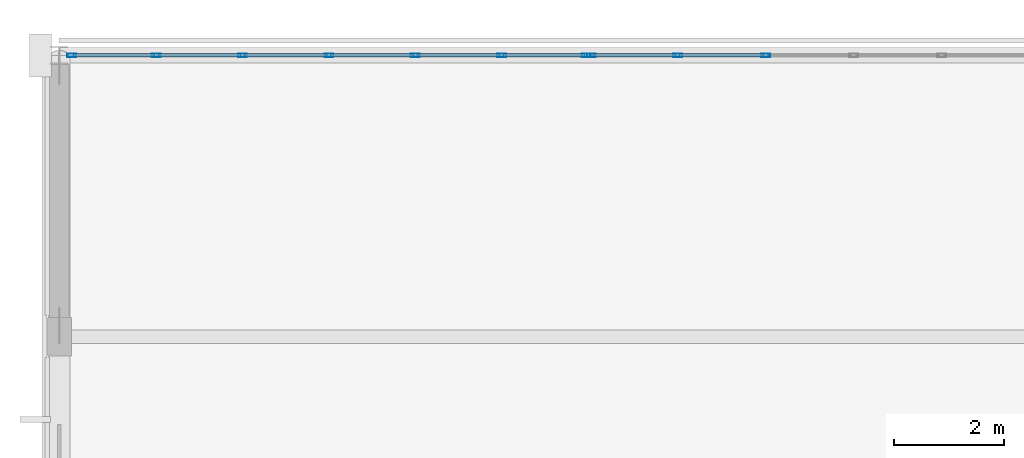
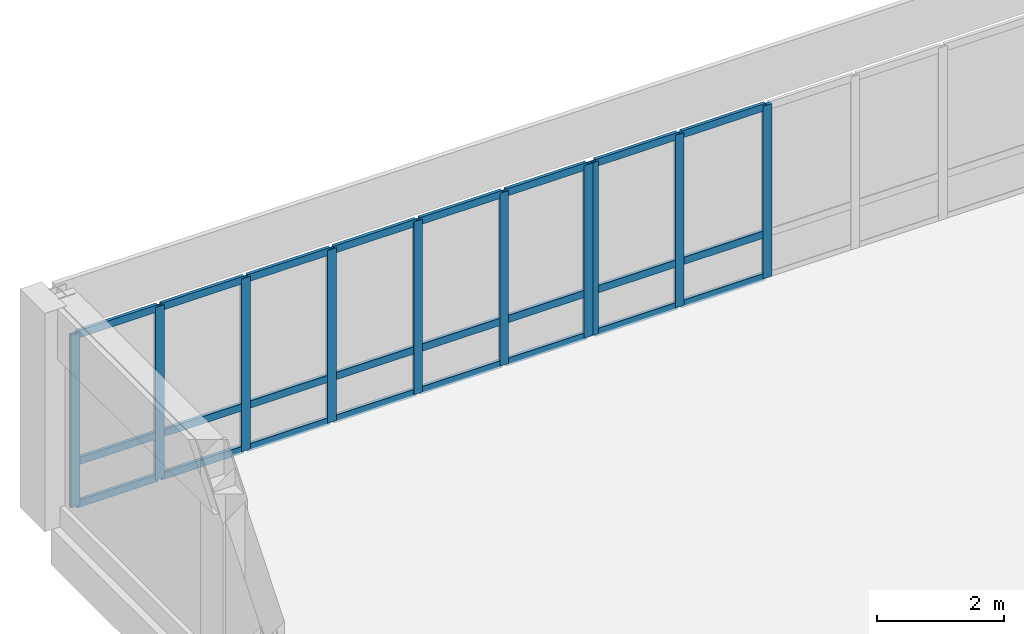
# One storey, part 66 of 185: 34 members, 2 elements without a shape of their own.
"""IFC4 building model written with IfcOpenShell, lengths in metres."""

import ifcopenshell
import ifcopenshell.guid

model = None  # the IFC model being written
_history = None  # IfcOwnerHistory: only IFC2X3 demands one
_inside = {}  # id of a spatial element -> (the spatial element, [elements in it])
_under = {}  # id of a project, library or spatial element -> (it, [spatial elements below it])
_declared = {}  # id of a project -> (the project, [libraries it declares])
_typed = {}  # id of a type object -> (the type object, [elements of that type])
_made_of = {}  # id of a material, layer set ... -> (it, [elements and type objects made of it])


def new_model(schema):
    """Start an empty IFC model of exactly this schema.

    Asked for "IFC4X3", IfcOpenShell would pick the latest addendum, in which some entities
    have other attributes; the version numbers below select the first issue.
    IFC2X3 requires an IfcOwnerHistory on every rooted entity: one is made here for all.
    """
    global model, _history
    if schema == "IFC4X3":
        model = ifcopenshell.file(schema_version=(4, 3, 0, 0))
    else:
        model = ifcopenshell.file(schema=schema)
    _inside.clear()
    _under.clear()
    _declared.clear()
    _typed.clear()
    _made_of.clear()
    _history = None
    if model.schema == "IFC2X3":
        org = make("IfcOrganization", Name="unknown")
        user = make(
            "IfcPersonAndOrganization",
            ThePerson=make("IfcPerson", FamilyName="unknown"),
            TheOrganization=org,
        )
        app = make(
            "IfcApplication",
            ApplicationDeveloper=org,
            Version="unknown",
            ApplicationFullName="unknown",
            ApplicationIdentifier="unknown",
        )
        _history = make(
            "IfcOwnerHistory",
            OwningUser=user,
            OwningApplication=app,
            ChangeAction="ADDED",
            CreationDate=0,
        )
    return model


def make(cls, **values):
    """One entity of the class cls with the attributes given. An attribute that is None is left unset."""
    return model.create_entity(
        cls, **{name: value for name, value in values.items() if value is not None}
    )


def rooted(cls, **values):
    """An entity with a GlobalId (a new one), such as an element, a storey or a relation."""
    return make(cls, GlobalId=ifcopenshell.guid.new(), OwnerHistory=_history, **values)


def si_unit(unit_type, name, prefix=None):
    """IfcSIUnit, for example si_unit("LENGTHUNIT", "METRE", prefix="MILLI")."""
    return make("IfcSIUnit", UnitType=unit_type, Prefix=prefix, Name=name)


def assignment(units):
    """IfcUnitAssignment: the units of a project."""
    return None if units is None else make("IfcUnitAssignment", Units=units)


def point(xyz):
    """IfcCartesianPoint."""
    return None if xyz is None else make("IfcCartesianPoint", Coordinates=xyz)


def direction(xyz):
    """IfcDirection."""
    return None if xyz is None else make("IfcDirection", DirectionRatios=xyz)


def frame(location, z_axis=None, x_axis=None):
    """IfcAxis2Placement3D, a coordinate frame: its origin and axes. An axis left out is left unset."""
    return make(
        "IfcAxis2Placement3D",
        Location=point(location),
        Axis=direction(z_axis),
        RefDirection=direction(x_axis),
    )


def frame_2d(location, x_axis=None):
    """IfcAxis2Placement2D, a coordinate frame in the plane: its origin and x axis."""
    return make(
        "IfcAxis2Placement2D", Location=point(location), RefDirection=direction(x_axis)
    )


def origin():
    """The frame at (0, 0, 0) with its axes left unset."""
    return frame((0.0, 0.0, 0.0))


def origin_2d():
    """The frame at (0, 0) in the plane with its x axis left unset."""
    return frame_2d((0.0, 0.0))


def place(relative_to, where):
    """IfcLocalPlacement: puts the frame where relative to a parent placement (None: the world)."""
    return make(
        "IfcLocalPlacement", PlacementRelTo=relative_to, RelativePlacement=where
    )


def context(
    kind, dimensions, precision=None, world=None, true_north=None, identifier=None
):
    """IfcGeometricRepresentationContext, for example the 3D "Model" context."""
    return make(
        "IfcGeometricRepresentationContext",
        ContextIdentifier=identifier,
        ContextType=kind,
        CoordinateSpaceDimension=dimensions,
        Precision=precision,
        WorldCoordinateSystem=world,
        TrueNorth=true_north,
    )


def subcontext(parent, identifier, kind, view, scale=None):
    """IfcGeometricRepresentationSubContext, for example "Body" below "Model"."""
    return make(
        "IfcGeometricRepresentationSubContext",
        ContextIdentifier=identifier,
        ContextType=kind,
        ParentContext=parent,
        TargetScale=scale,
        TargetView=view,
    )


def project(units=None, contexts=None):
    """IfcProject with its units and contexts."""
    return rooted(
        "IfcProject",
        Name="project",
        RepresentationContexts=contexts,
        UnitsInContext=assignment(units),
    )


def spatial(cls, under=None, at=None, **own):
    """A site, building, storey or space (cls), placed at a placement, below another one or the project."""
    s = rooted(cls, ObjectPlacement=at, **own)
    if under is not None:
        _under.setdefault(under.id(), (under, []))[1].append(s)
    return s


def profile(cls, at=None, kind="AREA", **sizes):
    """A parametric profile (cls). Its sizes go by their IFC names, for example OverallWidth=200.0."""
    return make(cls, ProfileType=kind, Position=at, **sizes)


def hollow_rectangle(**sizes):
    """IfcRectangleHollowProfileDef."""
    return profile("IfcRectangleHollowProfileDef", **sizes)


def extrude(swept, where, along, depth):
    """IfcExtrudedAreaSolid: the profile swept, set in the frame where, extruded along a direction by depth."""
    return make(
        "IfcExtrudedAreaSolid",
        SweptArea=swept,
        Position=where,
        ExtrudedDirection=direction(along),
        Depth=depth,
    )


def shape(context_of_items, identifier, shape_type, items):
    """IfcShapeRepresentation: the items that make up one representation, for example the "Body"."""
    return make(
        "IfcShapeRepresentation",
        ContextOfItems=context_of_items,
        RepresentationIdentifier=identifier,
        RepresentationType=shape_type,
        Items=items,
    )


def material(Name=None, Category=None):
    """IfcMaterial."""
    return make("IfcMaterial", Name=Name, Category=Category)


def material_profile(
    of_material, cross_section, Name=None, Category=None, Priority=None
):
    """IfcMaterialProfile: a cross section and its material."""
    return make(
        "IfcMaterialProfile",
        Name=Name,
        Material=of_material,
        Profile=cross_section,
        Priority=Priority,
        Category=Category,
    )


def profile_set(profiles, Name=None, composite=None):
    """IfcMaterialProfileSet."""
    return make(
        "IfcMaterialProfileSet",
        Name=Name,
        MaterialProfiles=profiles,
        CompositeProfile=composite,
    )


def made_of(thing, what):
    """Note that an element or type object is made of a material, layer set ...; save() writes the relation."""
    if what is not None:
        _made_of.setdefault(what.id(), (what, []))[1].append(thing)
    return thing


def type_object(cls, material=None, **own):
    """A type object (cls), such as IfcWallType, which elements share."""
    return made_of(rooted(cls, **own), material)


def element(
    cls,
    number,
    at=None,
    inside=None,
    cuts=None,
    type_object=None,
    material=None,
    context=None,
    identifier="Body",
    shape_type=None,
    held_by="IfcProductDefinitionShape",
    body=None,
    shapes=None,
    **own,
):
    """One element of the class cls, such as IfcWall. Its Tag is "e" and its number.

    at: its placement. inside: the storey or other place that contains it. cuts: it is an
    opening in that element (IfcRelVoidsElement). A single representation is given by context,
    identifier, shape_type and body (its items); several are given by shapes. held_by: the class
    of the entity that holds the representations. save() writes the other relations.
    """
    e = rooted(cls, Tag="e%d" % number, ObjectPlacement=at, **own)
    if body is not None:
        shapes = [shape(context, identifier, shape_type, body)]
    if shapes is not None:
        e.Representation = make(held_by, Representations=shapes)
    if inside is not None:
        _inside.setdefault(inside.id(), (inside, []))[1].append(e)
    if cuts is not None:
        rooted(
            "IfcRelVoidsElement", RelatingBuildingElement=cuts, RelatedOpeningElement=e
        )
    if type_object is not None:
        _typed.setdefault(type_object.id(), (type_object, []))[1].append(e)
    return made_of(e, material)


def aggregate(whole, parts):
    """IfcRelAggregates: a whole, such as a stair, and the parts it consists of."""
    return rooted("IfcRelAggregates", RelatingObject=whole, RelatedObjects=parts)


def save(model, path):
    """Write the relations noted so far, then the file.

    IfcRelAggregates (storeys below a building ...), IfcRelContainedInSpatialStructure (elements
    in a storey), IfcRelDefinesByType, IfcRelAssociatesMaterial and IfcRelDeclares: one each for
    every whole, place, type object, material and project.
    """
    for whole, parts in _under.values():
        aggregate(whole, parts)
    for where, things in _inside.values():
        rooted(
            "IfcRelContainedInSpatialStructure",
            RelatedElements=things,
            RelatingStructure=where,
        )
    for kind, things in _typed.values():
        rooted("IfcRelDefinesByType", RelatedObjects=things, RelatingType=kind)
    for what, things in _made_of.values():
        rooted("IfcRelAssociatesMaterial", RelatedObjects=things, RelatingMaterial=what)
    for by, libraries in _declared.values():
        rooted("IfcRelDeclares", RelatingContext=by, RelatedDefinitions=libraries)
    model.write(path)


model = new_model("IFC4")

# Units and contexts
model_context = context("Model", 3, precision=1e-05, world=origin(), true_north=direction((0.0, 1.0)))
body_context = subcontext(model_context, "Body", "Model", "MODEL_VIEW")
ifc_project = project(units=[si_unit("LENGTHUNIT", "METRE"), si_unit("AREAUNIT", "SQUARE_METRE"), si_unit("VOLUMEUNIT", "CUBIC_METRE"), si_unit("PLANEANGLEUNIT", "RADIAN"), si_unit("MASSUNIT", "GRAM", prefix="KILO")], contexts=[model_context])

# Site, building, storey
site_placement = place(None, origin())
site = spatial("IfcSite", under=ifc_project, at=site_placement, CompositionType="ELEMENT")
building_placement = place(site_placement, origin())
building = spatial("IfcBuilding", under=site, at=building_placement, Name="Vondelvale Polytechnic", CompositionType="ELEMENT")
storey_placement = place(building_placement, frame((0.0, 0.0, 9.60009765625)))
storey = spatial("IfcBuildingStorey", under=building, at=storey_placement, Name="L02", CompositionType="ELEMENT", Elevation=9.60009765625)

# Curtain wall, members
ifc_material = material(Name="Anodised extruded aluminium 6063-T6", Category="aluminium")
curtain_wall_type = type_object("IfcCurtainWallType", Name="CW-STUDIO-NORTH", PredefinedType="NOTDEFINED", material=ifc_material)
curtain_wall_1_placement = place(storey_placement, origin())
curtain_wall_1 = element("IfcCurtainWall", 1, at=curtain_wall_1_placement, inside=storey, type_object=curtain_wall_type, Name="L02 architectural curtain wall CW-01-004", PredefinedType="NOTDEFINED")
ifc_material_profile_1 = material_profile(ifc_material, hollow_rectangle(XDim=0.06494140625, YDim=0.159912109375, WallThickness=0.0048828125, at=origin_2d()), Name="CW-MUL-160x65")
ifc_profile_set_1 = profile_set([ifc_material_profile_1], Name="Anodised extruded aluminium 6063-T6")
member_type_1 = type_object("IfcMemberType", Name="CW-MUL-65x160", PredefinedType="MULLION", material=ifc_profile_set_1)
member_1_placement = place(storey_placement, frame((0.22607421875, 122.39990234375, 0.0), z_axis=(0.0, 0.0, 1.0), x_axis=(0.0, 1.0, 0.0)))
member_1 = element("IfcMember", 2, at=member_1_placement, type_object=member_type_1, Name="CW-01-004 mullion 1", PredefinedType="MULLION", context=body_context, shape_type="SweptSolid", body=[
    extrude(hollow_rectangle(XDim=0.06494140625, YDim=0.159912109375, WallThickness=0.0048828125, at=origin_2d()), origin(), (0.0, 0.0, 1.0), 3.31982421875),
])
member_2_placement = place(storey_placement, frame((1.7587890625, 122.39990234375, 0.0), z_axis=(0.0, 0.0, 1.0), x_axis=(0.0, 1.0, 0.0)))
member_2 = element("IfcMember", 3, at=member_2_placement, type_object=member_type_1, Name="CW-01-004 mullion 2", PredefinedType="MULLION", context=body_context, shape_type="SweptSolid", body=[
    extrude(hollow_rectangle(XDim=0.06494140625, YDim=0.159912109375, WallThickness=0.0048828125, at=origin_2d()), origin(), (0.0, 0.0, 1.0), 3.31982421875),
])
member_3_placement = place(storey_placement, frame((3.323974609375, 122.39990234375, 0.0), z_axis=(0.0, 0.0, 1.0), x_axis=(0.0, 1.0, 0.0)))
member_3 = element("IfcMember", 4, at=member_3_placement, type_object=member_type_1, Name="CW-01-004 mullion 3", PredefinedType="MULLION", context=body_context, shape_type="SweptSolid", body=[
    extrude(hollow_rectangle(XDim=0.06494140625, YDim=0.159912109375, WallThickness=0.0048828125, at=origin_2d()), origin(), (0.0, 0.0, 1.0), 3.31982421875),
])
member_4_placement = place(storey_placement, frame((4.88916015625, 122.39990234375, 0.0), z_axis=(0.0, 0.0, 1.0), x_axis=(0.0, 1.0, 0.0)))
member_4 = element("IfcMember", 5, at=member_4_placement, type_object=member_type_1, Name="CW-01-004 mullion 4", PredefinedType="MULLION", context=body_context, shape_type="SweptSolid", body=[
    extrude(hollow_rectangle(XDim=0.06494140625, YDim=0.159912109375, WallThickness=0.0048828125, at=origin_2d()), origin(), (0.0, 0.0, 1.0), 3.31982421875),
])
member_5_placement = place(storey_placement, frame((6.45458984375, 122.39990234375, 0.0), z_axis=(0.0, 0.0, 1.0), x_axis=(0.0, 1.0, 0.0)))
member_5 = element("IfcMember", 6, at=member_5_placement, type_object=member_type_1, Name="CW-01-004 mullion 5", PredefinedType="MULLION", context=body_context, shape_type="SweptSolid", body=[
    extrude(hollow_rectangle(XDim=0.06494140625, YDim=0.159912109375, WallThickness=0.0048828125, at=origin_2d()), origin(), (0.0, 0.0, 1.0), 3.31982421875),
])
member_6_placement = place(storey_placement, frame((8.019775390625, 122.39990234375, 0.0), z_axis=(0.0, 0.0, 1.0), x_axis=(0.0, 1.0, 0.0)))
member_6 = element("IfcMember", 7, at=member_6_placement, type_object=member_type_1, Name="CW-01-004 mullion 6", PredefinedType="MULLION", context=body_context, shape_type="SweptSolid", body=[
    extrude(hollow_rectangle(XDim=0.06494140625, YDim=0.159912109375, WallThickness=0.0048828125, at=origin_2d()), origin(), (0.0, 0.0, 1.0), 3.31982421875),
])
member_7_placement = place(storey_placement, frame((9.552490234375, 122.39990234375, 0.0), z_axis=(0.0, 0.0, 1.0), x_axis=(0.0, 1.0, 0.0)))
member_7 = element("IfcMember", 8, at=member_7_placement, type_object=member_type_1, Name="CW-01-004 mullion 7", PredefinedType="MULLION", context=body_context, shape_type="SweptSolid", body=[
    extrude(hollow_rectangle(XDim=0.06494140625, YDim=0.159912109375, WallThickness=0.0048828125, at=origin_2d()), origin(), (0.0, 0.0, 1.0), 3.31982421875),
])

curtain_wall_2_placement = place(storey_placement, origin())
curtain_wall_2 = element("IfcCurtainWall", 9, at=curtain_wall_2_placement, inside=storey, type_object=curtain_wall_type, Name="L02 architectural curtain wall CW-01-005", PredefinedType="NOTDEFINED")
member_8_placement = place(storey_placement, frame((9.6474609375, 122.39990234375, 0.0), z_axis=(0.0, 0.0, 1.0), x_axis=(0.0, 1.0, 0.0)))
member_8 = element("IfcMember", 10, at=member_8_placement, type_object=member_type_1, Name="CW-01-005 mullion 1", PredefinedType="MULLION", context=body_context, shape_type="SweptSolid", body=[
    extrude(hollow_rectangle(XDim=0.06494140625, YDim=0.159912109375, WallThickness=0.0048828125, at=origin_2d()), origin(), (0.0, 0.0, 1.0), 3.31982421875),
])
member_9_placement = place(storey_placement, frame((11.2099609375, 122.39990234375, 0.0), z_axis=(0.0, 0.0, 1.0), x_axis=(0.0, 1.0, 0.0)))
member_9 = element("IfcMember", 11, at=member_9_placement, type_object=member_type_1, Name="CW-01-005 mullion 2", PredefinedType="MULLION", context=body_context, shape_type="SweptSolid", body=[
    extrude(hollow_rectangle(XDim=0.06494140625, YDim=0.159912109375, WallThickness=0.0048828125, at=origin_2d()), origin(), (0.0, 0.0, 1.0), 3.31982421875),
])
member_10_placement = place(storey_placement, frame((12.804931640625, 122.39990234375, 0.0), z_axis=(0.0, 0.0, 1.0), x_axis=(0.0, 1.0, 0.0)))
member_10 = element("IfcMember", 12, at=member_10_placement, type_object=member_type_1, Name="CW-01-005 mullion 3", PredefinedType="MULLION", context=body_context, shape_type="SweptSolid", body=[
    extrude(hollow_rectangle(XDim=0.06494140625, YDim=0.159912109375, WallThickness=0.0048828125, at=origin_2d()), origin(), (0.0, 0.0, 1.0), 3.31982421875),
])

# Member
ifc_material_profile_2 = material_profile(ifc_material, hollow_rectangle(XDim=0.06005859375, YDim=0.139892578125, WallThickness=0.00341796875, at=origin_2d()), Name="CW-TRN-140x60")
ifc_profile_set_2 = profile_set([ifc_material_profile_2], Name="Anodised extruded aluminium 6063-T6")
member_type_2 = type_object("IfcMemberType", Name="CW-TRN-60x140", PredefinedType="USERDEFINED", material=ifc_profile_set_2)
member_11_placement = place(storey_placement, frame((0.258544921875, 122.39990234375, 0.02978515625), z_axis=(1.0, 0.0, 0.0), x_axis=(0.0, 1.0, 0.0)))
member_11 = element("IfcMember", 13, at=member_11_placement, type_object=member_type_2, Name="CW-01-004 transom 1.1", ObjectType="TRANSOM", PredefinedType="USERDEFINED", context=body_context, shape_type="SweptSolid", body=[
    extrude(hollow_rectangle(XDim=0.06005859375, YDim=0.139892578125, WallThickness=0.00341796875, at=origin_2d()), origin(), (0.0, 0.0, 1.0), 1.4677734375),
])

member_12_placement = place(storey_placement, frame((0.258544921875, 122.39990234375, 0.849853515625), z_axis=(1.0, 0.0, 0.0), x_axis=(0.0, 1.0, 0.0)))
member_12 = element("IfcMember", 14, at=member_12_placement, type_object=member_type_2, Name="CW-01-004 transom 1.2", ObjectType="TRANSOM", PredefinedType="USERDEFINED", context=body_context, shape_type="SweptSolid", body=[
    extrude(hollow_rectangle(XDim=0.06005859375, YDim=0.139892578125, WallThickness=0.00341796875, at=origin_2d()), origin(), (0.0, 0.0, 1.0), 1.4677734375),
])

member_13_placement = place(storey_placement, frame((0.258544921875, 122.39990234375, 3.289794921875), z_axis=(1.0, 0.0, 0.0), x_axis=(0.0, 1.0, 0.0)))
member_13 = element("IfcMember", 15, at=member_13_placement, type_object=member_type_2, Name="CW-01-004 transom 1.3", ObjectType="TRANSOM", PredefinedType="USERDEFINED", context=body_context, shape_type="SweptSolid", body=[
    extrude(hollow_rectangle(XDim=0.06005859375, YDim=0.139892578125, WallThickness=0.00341796875, at=origin_2d()), origin(), (0.0, 0.0, 1.0), 1.4677734375),
])

member_14_placement = place(storey_placement, frame((1.791259765625, 122.39990234375, 0.02978515625), z_axis=(1.0, 0.0, 0.0), x_axis=(0.0, 1.0, 0.0)))
member_14 = element("IfcMember", 16, at=member_14_placement, type_object=member_type_2, Name="CW-01-004 transom 2.1", ObjectType="TRANSOM", PredefinedType="USERDEFINED", context=body_context, shape_type="SweptSolid", body=[
    extrude(hollow_rectangle(XDim=0.06005859375, YDim=0.139892578125, WallThickness=0.00341796875, at=origin_2d()), origin(), (0.0, 0.0, 1.0), 1.500244140625),
])

member_15_placement = place(storey_placement, frame((1.791259765625, 122.39990234375, 0.849853515625), z_axis=(1.0, 0.0, 0.0), x_axis=(0.0, 1.0, 0.0)))
member_15 = element("IfcMember", 17, at=member_15_placement, type_object=member_type_2, Name="CW-01-004 transom 2.2", ObjectType="TRANSOM", PredefinedType="USERDEFINED", context=body_context, shape_type="SweptSolid", body=[
    extrude(hollow_rectangle(XDim=0.06005859375, YDim=0.139892578125, WallThickness=0.00341796875, at=origin_2d()), origin(), (0.0, 0.0, 1.0), 1.500244140625),
])

member_16_placement = place(storey_placement, frame((1.791259765625, 122.39990234375, 3.289794921875), z_axis=(1.0, 0.0, 0.0), x_axis=(0.0, 1.0, 0.0)))
member_16 = element("IfcMember", 18, at=member_16_placement, type_object=member_type_2, Name="CW-01-004 transom 2.3", ObjectType="TRANSOM", PredefinedType="USERDEFINED", context=body_context, shape_type="SweptSolid", body=[
    extrude(hollow_rectangle(XDim=0.06005859375, YDim=0.139892578125, WallThickness=0.00341796875, at=origin_2d()), origin(), (0.0, 0.0, 1.0), 1.500244140625),
])

member_17_placement = place(storey_placement, frame((3.3564453125, 122.39990234375, 0.02978515625), z_axis=(1.0, 0.0, 0.0), x_axis=(0.0, 1.0, 0.0)))
member_17 = element("IfcMember", 19, at=member_17_placement, type_object=member_type_2, Name="CW-01-004 transom 3.1", ObjectType="TRANSOM", PredefinedType="USERDEFINED", context=body_context, shape_type="SweptSolid", body=[
    extrude(hollow_rectangle(XDim=0.06005859375, YDim=0.139892578125, WallThickness=0.00341796875, at=origin_2d()), origin(), (0.0, 0.0, 1.0), 1.500244140625),
])

member_18_placement = place(storey_placement, frame((3.3564453125, 122.39990234375, 0.849853515625), z_axis=(1.0, 0.0, 0.0), x_axis=(0.0, 1.0, 0.0)))
member_18 = element("IfcMember", 20, at=member_18_placement, type_object=member_type_2, Name="CW-01-004 transom 3.2", ObjectType="TRANSOM", PredefinedType="USERDEFINED", context=body_context, shape_type="SweptSolid", body=[
    extrude(hollow_rectangle(XDim=0.06005859375, YDim=0.139892578125, WallThickness=0.00341796875, at=origin_2d()), origin(), (0.0, 0.0, 1.0), 1.500244140625),
])

member_19_placement = place(storey_placement, frame((3.3564453125, 122.39990234375, 3.289794921875), z_axis=(1.0, 0.0, 0.0), x_axis=(0.0, 1.0, 0.0)))
member_19 = element("IfcMember", 21, at=member_19_placement, type_object=member_type_2, Name="CW-01-004 transom 3.3", ObjectType="TRANSOM", PredefinedType="USERDEFINED", context=body_context, shape_type="SweptSolid", body=[
    extrude(hollow_rectangle(XDim=0.06005859375, YDim=0.139892578125, WallThickness=0.00341796875, at=origin_2d()), origin(), (0.0, 0.0, 1.0), 1.500244140625),
])

member_20_placement = place(storey_placement, frame((4.921630859375, 122.39990234375, 0.02978515625), z_axis=(1.0, 0.0, 0.0), x_axis=(0.0, 1.0, 0.0)))
member_20 = element("IfcMember", 22, at=member_20_placement, type_object=member_type_2, Name="CW-01-004 transom 4.1", ObjectType="TRANSOM", PredefinedType="USERDEFINED", context=body_context, shape_type="SweptSolid", body=[
    extrude(hollow_rectangle(XDim=0.06005859375, YDim=0.139892578125, WallThickness=0.00341796875, at=origin_2d()), origin(), (0.0, 0.0, 1.0), 1.50048828125),
])

member_21_placement = place(storey_placement, frame((4.921630859375, 122.39990234375, 0.849853515625), z_axis=(1.0, 0.0, 0.0), x_axis=(0.0, 1.0, 0.0)))
member_21 = element("IfcMember", 23, at=member_21_placement, type_object=member_type_2, Name="CW-01-004 transom 4.2", ObjectType="TRANSOM", PredefinedType="USERDEFINED", context=body_context, shape_type="SweptSolid", body=[
    extrude(hollow_rectangle(XDim=0.06005859375, YDim=0.139892578125, WallThickness=0.00341796875, at=origin_2d()), origin(), (0.0, 0.0, 1.0), 1.50048828125),
])

member_22_placement = place(storey_placement, frame((4.921630859375, 122.39990234375, 3.289794921875), z_axis=(1.0, 0.0, 0.0), x_axis=(0.0, 1.0, 0.0)))
member_22 = element("IfcMember", 24, at=member_22_placement, type_object=member_type_2, Name="CW-01-004 transom 4.3", ObjectType="TRANSOM", PredefinedType="USERDEFINED", context=body_context, shape_type="SweptSolid", body=[
    extrude(hollow_rectangle(XDim=0.06005859375, YDim=0.139892578125, WallThickness=0.00341796875, at=origin_2d()), origin(), (0.0, 0.0, 1.0), 1.50048828125),
])

member_23_placement = place(storey_placement, frame((6.487060546875, 122.39990234375, 0.02978515625), z_axis=(1.0, 0.0, 0.0), x_axis=(0.0, 1.0, 0.0)))
member_23 = element("IfcMember", 25, at=member_23_placement, type_object=member_type_2, Name="CW-01-004 transom 5.1", ObjectType="TRANSOM", PredefinedType="USERDEFINED", context=body_context, shape_type="SweptSolid", body=[
    extrude(hollow_rectangle(XDim=0.06005859375, YDim=0.139892578125, WallThickness=0.00341796875, at=origin_2d()), origin(), (0.0, 0.0, 1.0), 1.500244140625),
])

member_24_placement = place(storey_placement, frame((6.487060546875, 122.39990234375, 0.849853515625), z_axis=(1.0, 0.0, 0.0), x_axis=(0.0, 1.0, 0.0)))
member_24 = element("IfcMember", 26, at=member_24_placement, type_object=member_type_2, Name="CW-01-004 transom 5.2", ObjectType="TRANSOM", PredefinedType="USERDEFINED", context=body_context, shape_type="SweptSolid", body=[
    extrude(hollow_rectangle(XDim=0.06005859375, YDim=0.139892578125, WallThickness=0.00341796875, at=origin_2d()), origin(), (0.0, 0.0, 1.0), 1.500244140625),
])

member_25_placement = place(storey_placement, frame((6.487060546875, 122.39990234375, 3.289794921875), z_axis=(1.0, 0.0, 0.0), x_axis=(0.0, 1.0, 0.0)))
member_25 = element("IfcMember", 27, at=member_25_placement, type_object=member_type_2, Name="CW-01-004 transom 5.3", ObjectType="TRANSOM", PredefinedType="USERDEFINED", context=body_context, shape_type="SweptSolid", body=[
    extrude(hollow_rectangle(XDim=0.06005859375, YDim=0.139892578125, WallThickness=0.00341796875, at=origin_2d()), origin(), (0.0, 0.0, 1.0), 1.500244140625),
])

member_26_placement = place(storey_placement, frame((8.05224609375, 122.39990234375, 0.02978515625), z_axis=(1.0, 0.0, 0.0), x_axis=(0.0, 1.0, 0.0)))
member_26 = element("IfcMember", 28, at=member_26_placement, type_object=member_type_2, Name="CW-01-004 transom 6.1", ObjectType="TRANSOM", PredefinedType="USERDEFINED", context=body_context, shape_type="SweptSolid", body=[
    extrude(hollow_rectangle(XDim=0.06005859375, YDim=0.139892578125, WallThickness=0.00341796875, at=origin_2d()), origin(), (0.0, 0.0, 1.0), 1.4677734375),
])

member_27_placement = place(storey_placement, frame((8.05224609375, 122.39990234375, 0.849853515625), z_axis=(1.0, 0.0, 0.0), x_axis=(0.0, 1.0, 0.0)))
member_27 = element("IfcMember", 29, at=member_27_placement, type_object=member_type_2, Name="CW-01-004 transom 6.2", ObjectType="TRANSOM", PredefinedType="USERDEFINED", context=body_context, shape_type="SweptSolid", body=[
    extrude(hollow_rectangle(XDim=0.06005859375, YDim=0.139892578125, WallThickness=0.00341796875, at=origin_2d()), origin(), (0.0, 0.0, 1.0), 1.4677734375),
])

member_28_placement = place(storey_placement, frame((8.05224609375, 122.39990234375, 3.289794921875), z_axis=(1.0, 0.0, 0.0), x_axis=(0.0, 1.0, 0.0)))
member_28 = element("IfcMember", 30, at=member_28_placement, type_object=member_type_2, Name="CW-01-004 transom 6.3", ObjectType="TRANSOM", PredefinedType="USERDEFINED", context=body_context, shape_type="SweptSolid", body=[
    extrude(hollow_rectangle(XDim=0.06005859375, YDim=0.139892578125, WallThickness=0.00341796875, at=origin_2d()), origin(), (0.0, 0.0, 1.0), 1.4677734375),
])

aggregate(curtain_wall_1, [member_1, member_2, member_3, member_4, member_5, member_6, member_7, member_11, member_12, member_13, member_14, member_15, member_16, member_17, member_18, member_19, member_20, member_21, member_22, member_23, member_24, member_25, member_26, member_27, member_28])

member_29_placement = place(storey_placement, frame((9.679931640625, 122.39990234375, 0.02978515625), z_axis=(1.0, 0.0, 0.0), x_axis=(0.0, 1.0, 0.0)))
member_29 = element("IfcMember", 31, at=member_29_placement, type_object=member_type_2, Name="CW-01-005 transom 1.1", ObjectType="TRANSOM", PredefinedType="USERDEFINED", context=body_context, shape_type="SweptSolid", body=[
    extrude(hollow_rectangle(XDim=0.06005859375, YDim=0.139892578125, WallThickness=0.00341796875, at=origin_2d()), origin(), (0.0, 0.0, 1.0), 1.49755859375),
])

member_30_placement = place(storey_placement, frame((9.679931640625, 122.39990234375, 0.849853515625), z_axis=(1.0, 0.0, 0.0), x_axis=(0.0, 1.0, 0.0)))
member_30 = element("IfcMember", 32, at=member_30_placement, type_object=member_type_2, Name="CW-01-005 transom 1.2", ObjectType="TRANSOM", PredefinedType="USERDEFINED", context=body_context, shape_type="SweptSolid", body=[
    extrude(hollow_rectangle(XDim=0.06005859375, YDim=0.139892578125, WallThickness=0.00341796875, at=origin_2d()), origin(), (0.0, 0.0, 1.0), 1.49755859375),
])

member_31_placement = place(storey_placement, frame((9.679931640625, 122.39990234375, 3.289794921875), z_axis=(1.0, 0.0, 0.0), x_axis=(0.0, 1.0, 0.0)))
member_31 = element("IfcMember", 33, at=member_31_placement, type_object=member_type_2, Name="CW-01-005 transom 1.3", ObjectType="TRANSOM", PredefinedType="USERDEFINED", context=body_context, shape_type="SweptSolid", body=[
    extrude(hollow_rectangle(XDim=0.06005859375, YDim=0.139892578125, WallThickness=0.00341796875, at=origin_2d()), origin(), (0.0, 0.0, 1.0), 1.49755859375),
])

member_32_placement = place(storey_placement, frame((11.242431640625, 122.39990234375, 0.02978515625), z_axis=(1.0, 0.0, 0.0), x_axis=(0.0, 1.0, 0.0)))
member_32 = element("IfcMember", 34, at=member_32_placement, type_object=member_type_2, Name="CW-01-005 transom 2.1", ObjectType="TRANSOM", PredefinedType="USERDEFINED", context=body_context, shape_type="SweptSolid", body=[
    extrude(hollow_rectangle(XDim=0.06005859375, YDim=0.139892578125, WallThickness=0.00341796875, at=origin_2d()), origin(), (0.0, 0.0, 1.0), 1.530029296875),
])

member_33_placement = place(storey_placement, frame((11.242431640625, 122.39990234375, 0.849853515625), z_axis=(1.0, 0.0, 0.0), x_axis=(0.0, 1.0, 0.0)))
member_33 = element("IfcMember", 35, at=member_33_placement, type_object=member_type_2, Name="CW-01-005 transom 2.2", ObjectType="TRANSOM", PredefinedType="USERDEFINED", context=body_context, shape_type="SweptSolid", body=[
    extrude(hollow_rectangle(XDim=0.06005859375, YDim=0.139892578125, WallThickness=0.00341796875, at=origin_2d()), origin(), (0.0, 0.0, 1.0), 1.530029296875),
])

member_34_placement = place(storey_placement, frame((11.242431640625, 122.39990234375, 3.289794921875), z_axis=(1.0, 0.0, 0.0), x_axis=(0.0, 1.0, 0.0)))
member_34 = element("IfcMember", 36, at=member_34_placement, type_object=member_type_2, Name="CW-01-005 transom 2.3", ObjectType="TRANSOM", PredefinedType="USERDEFINED", context=body_context, shape_type="SweptSolid", body=[
    extrude(hollow_rectangle(XDim=0.06005859375, YDim=0.139892578125, WallThickness=0.00341796875, at=origin_2d()), origin(), (0.0, 0.0, 1.0), 1.530029296875),
])

aggregate(curtain_wall_2, [member_8, member_9, member_10, member_29, member_30, member_31, member_32, member_33, member_34])

save(model, "model.ifc")
